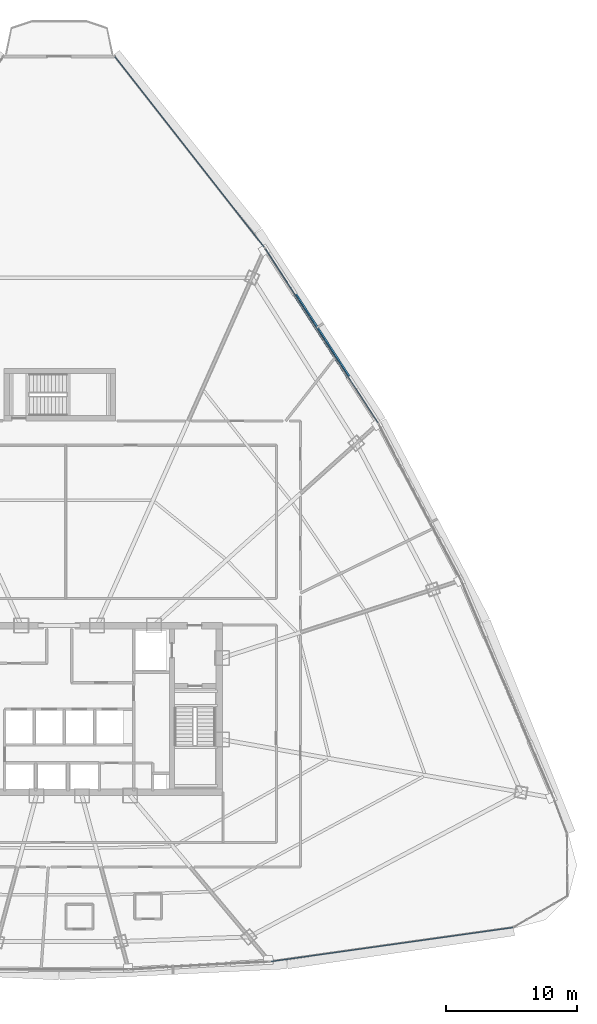
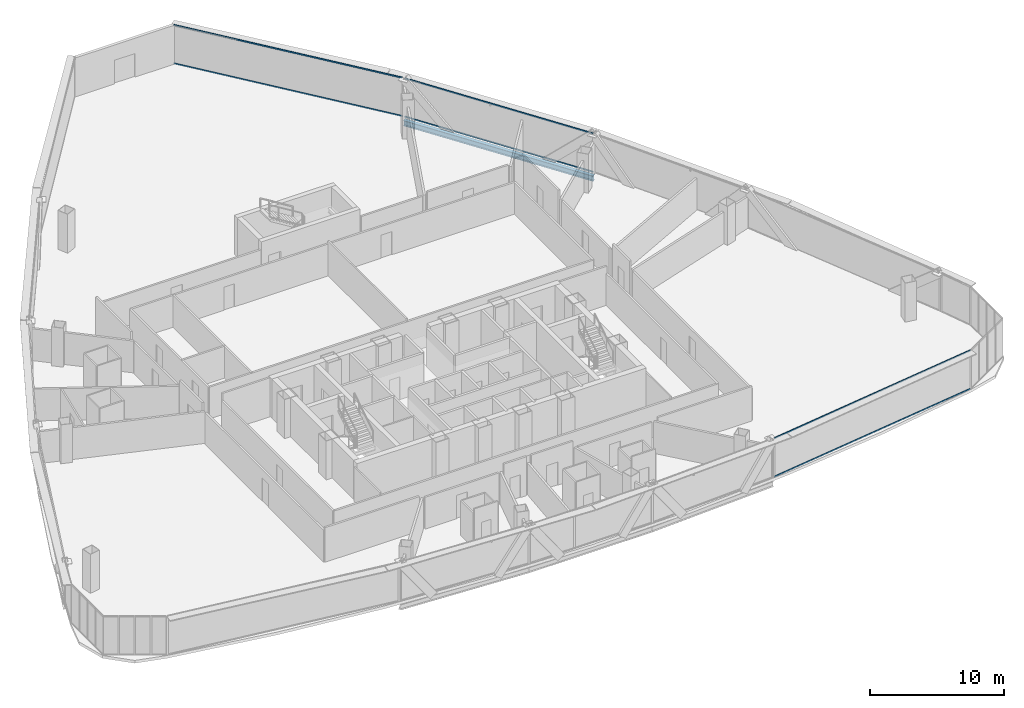
# One storey, part 23 of 40: 6 members, 1 beam, 3 elements without a shape of their own.
"""IFC4 building model written with IfcOpenShell, lengths in metres."""

from ifc_helpers import new_model, si_unit, direction, frame, origin, origin_2d, place, context, subcontext, project, spatial, hollow_rectangle, i_section, extrude, source, transform, mapped, material, layer, layer_set, material_profile, profile_set, type_object, element, aggregate, save


model = new_model("IFC4")

# Units and contexts
model_context = context("Model", 3, precision=1e-05, world=origin(), true_north=direction((0.0, 1.0)))
body_context = subcontext(model_context, "Body", "Model", "MODEL_VIEW")
ifc_project = project(units=[si_unit("LENGTHUNIT", "METRE"), si_unit("AREAUNIT", "SQUARE_METRE"), si_unit("VOLUMEUNIT", "CUBIC_METRE"), si_unit("PLANEANGLEUNIT", "RADIAN"), si_unit("MASSUNIT", "GRAM", prefix="KILO"), si_unit("THERMODYNAMICTEMPERATUREUNIT", "KELVIN"), si_unit("POWERUNIT", "WATT")], contexts=[model_context])

# Site, building, storey
site_placement = place(None, origin())
site = spatial("IfcSite", under=ifc_project, at=site_placement, CompositionType="ELEMENT")
building_placement = place(site_placement, origin())
building = spatial("IfcBuilding", under=site, at=building_placement, Name="Yunzhuo Pagoda Commons", CompositionType="ELEMENT")
storey_placement = place(building_placement, frame((0.0, 0.0, 188.56005859375)))
storey = spatial("IfcBuildingStorey", under=building, at=storey_placement, Name="L47", CompositionType="ELEMENT", Elevation=188.56005859375)

# Beam
ifc_material_1 = material(Name="Structural steel Q355B", Category="steel")
ifc_material_profile_1 = material_profile(ifc_material_1, i_section(OverallWidth=0.300048828125, OverallDepth=0.488037109375, WebThickness=0.010986328125, FlangeThickness=0.01806640625, at=origin_2d()), Name="Structural steel Q355B")
ifc_profile_set_1 = profile_set([ifc_material_profile_1], Name="Structural steel Q355B")
beam_type = type_object("IfcBeamType", Name="B-SP1 Beam HM 488x300x11x18", PredefinedType="BEAM", material=ifc_profile_set_1)
shared_shape_1 = source(origin(), body_context, "Body", "SweptSolid", [
    extrude(i_section(OverallWidth=0.300048828125, OverallDepth=0.488037109375, WebThickness=0.010986328125, FlangeThickness=0.01806640625, at=origin_2d()), origin(), (0.0, 0.0, 1.0), 15.899169921875),
])
beam_placement = place(storey_placement, frame((72.33544921875, 55.61181640625, -0.504150390625), z_axis=(-0.543169779139, 0.8396228862, 0.0), x_axis=(-0.8396228862, -0.543169779139, 0.0)))
element("IfcBeam", 1, at=beam_placement, inside=storey, type_object=beam_type, Name="L47 facade edge spandrel beam F2.3", PredefinedType="BEAM", context=body_context, shape_type="MappedRepresentation", body=[
    mapped(shared_shape_1, transform((0.0, 0.0, 0.0), scale=1.0)),
])

# Curtain wall, members
ifc_material_2 = material(Name="Anodized aluminium 6063-T6", Category="aluminium")
ifc_layer = layer(ifc_material_2, 0.14990234375)
ifc_layer_set = layer_set([ifc_layer], Name="Anodized aluminium 6063-T6")
curtain_wall_type = type_object("IfcCurtainWallType", Name="CW-MID Mid-Zone Ribbon Curtain Wall", PredefinedType="NOTDEFINED", material=ifc_layer_set)
curtain_wall_1_placement = place(storey_placement, origin())
curtain_wall_1 = element("IfcCurtainWall", 2, at=curtain_wall_1_placement, inside=storey, type_object=curtain_wall_type, Name="L47 curtain wall CW-L47-F1B5", PredefinedType="NOTDEFINED")
ifc_material_profile_2 = material_profile(ifc_material_2, hollow_rectangle(XDim=0.054931640625, YDim=0.1298828125, WallThickness=0.00341796875, at=origin_2d()), Name="Anodized aluminium 6063-T6")
ifc_profile_set_2 = profile_set([ifc_material_profile_2], Name="Anodized aluminium 6063-T6")
member_type = type_object("IfcMemberType", Name="CW-MID-T Transom RHS 130x55x3.5", PredefinedType="USERDEFINED", material=ifc_profile_set_2)
shared_shape_2 = source(origin(), body_context, "Body", "SweptSolid", [
    extrude(hollow_rectangle(XDim=0.054931640625, YDim=0.1298828125, WallThickness=0.00341796875, at=origin_2d()), origin(), (0.0, 0.0, 1.0), 18.564453125),
])
member_1_placement = place(storey_placement, frame((64.18115234375, 14.59423828125, 0.02734375), z_axis=(0.990260063852, 0.139230046827, 0.0), x_axis=(-0.139230046827, 0.990260063852, 0.0)))
member_1 = element("IfcMember", 3, at=member_1_placement, type_object=member_type, Name="CW transom 1.1", ObjectType="TRANSOM", PredefinedType="USERDEFINED", context=body_context, shape_type="MappedRepresentation", body=[
    mapped(shared_shape_2, transform((0.0, 0.0, 0.0), scale=1.0)),
])
member_2_placement = place(storey_placement, frame((64.18115234375, 14.59423828125, 3.512451171875), z_axis=(0.990260063852, 0.139230046827, 0.0), x_axis=(-0.139230046827, 0.990260063852, 0.0)))
member_2 = element("IfcMember", 4, at=member_2_placement, type_object=member_type, Name="CW transom 1.2", ObjectType="TRANSOM", PredefinedType="USERDEFINED", context=body_context, shape_type="MappedRepresentation", body=[
    mapped(shared_shape_2, transform((0.0, 0.0, 0.0), scale=1.0)),
])
aggregate(curtain_wall_1, [member_1, member_2])

curtain_wall_2_placement = place(storey_placement, origin())
curtain_wall_2 = element("IfcCurtainWall", 5, at=curtain_wall_2_placement, inside=storey, type_object=curtain_wall_type, Name="L47 curtain wall CW-L47-F2B4", PredefinedType="NOTDEFINED")
shared_shape_3 = source(origin(), body_context, "Body", "SweptSolid", [
    extrude(hollow_rectangle(XDim=0.054931640625, YDim=0.1298828125, WallThickness=0.00341796875, at=origin_2d()), origin(), (0.0, 0.0, 1.0), 15.779296875),
])
member_3_placement = place(storey_placement, frame((72.302734375, 55.662109375, 0.02734375), z_axis=(-0.543164669064, 0.839626191993, 0.0), x_axis=(-0.839626191993, -0.543164669064, 0.0)))
member_3 = element("IfcMember", 6, at=member_3_placement, type_object=member_type, Name="CW transom 1.1", ObjectType="TRANSOM", PredefinedType="USERDEFINED", context=body_context, shape_type="MappedRepresentation", body=[
    mapped(shared_shape_3, transform((0.0, 0.0, 0.0), scale=1.0)),
])
member_4_placement = place(storey_placement, frame((72.302734375, 55.662109375, 3.512451171875), z_axis=(-0.543164669064, 0.839626191993, 0.0), x_axis=(-0.839626191993, -0.543164669064, 0.0)))
member_4 = element("IfcMember", 7, at=member_4_placement, type_object=member_type, Name="CW transom 1.2", ObjectType="TRANSOM", PredefinedType="USERDEFINED", context=body_context, shape_type="MappedRepresentation", body=[
    mapped(shared_shape_3, transform((0.0, 0.0, 0.0), scale=1.0)),
])
aggregate(curtain_wall_2, [member_3, member_4])

curtain_wall_3_placement = place(storey_placement, origin())
curtain_wall_3 = element("IfcCurtainWall", 8, at=curtain_wall_3_placement, inside=storey, type_object=curtain_wall_type, Name="L47 curtain wall CW-L47-F2B5", PredefinedType="NOTDEFINED")
shared_shape_4 = source(origin(), body_context, "Body", "SweptSolid", [
    extrude(hollow_rectangle(XDim=0.054931640625, YDim=0.1298828125, WallThickness=0.00341796875, at=origin_2d()), origin(), (0.0, 0.0, 1.0), 18.384765625),
])
member_5_placement = place(storey_placement, frame((63.615966796875, 69.067626953125, 0.02734375), z_axis=(-0.617021275129, 0.786946469614, 0.0), x_axis=(-0.786946469614, -0.617021275129, 0.0)))
member_5 = element("IfcMember", 9, at=member_5_placement, type_object=member_type, Name="CW transom 1.1", ObjectType="TRANSOM", PredefinedType="USERDEFINED", context=body_context, shape_type="MappedRepresentation", body=[
    mapped(shared_shape_4, transform((0.0, 0.0, 0.0), scale=1.0)),
])
member_6_placement = place(storey_placement, frame((63.615966796875, 69.067626953125, 3.512451171875), z_axis=(-0.617021275129, 0.786946469614, 0.0), x_axis=(-0.786946469614, -0.617021275129, 0.0)))
member_6 = element("IfcMember", 10, at=member_6_placement, type_object=member_type, Name="CW transom 1.2", ObjectType="TRANSOM", PredefinedType="USERDEFINED", context=body_context, shape_type="MappedRepresentation", body=[
    mapped(shared_shape_4, transform((0.0, 0.0, 0.0), scale=1.0)),
])
aggregate(curtain_wall_3, [member_5, member_6])

save(model, "model.ifc")
